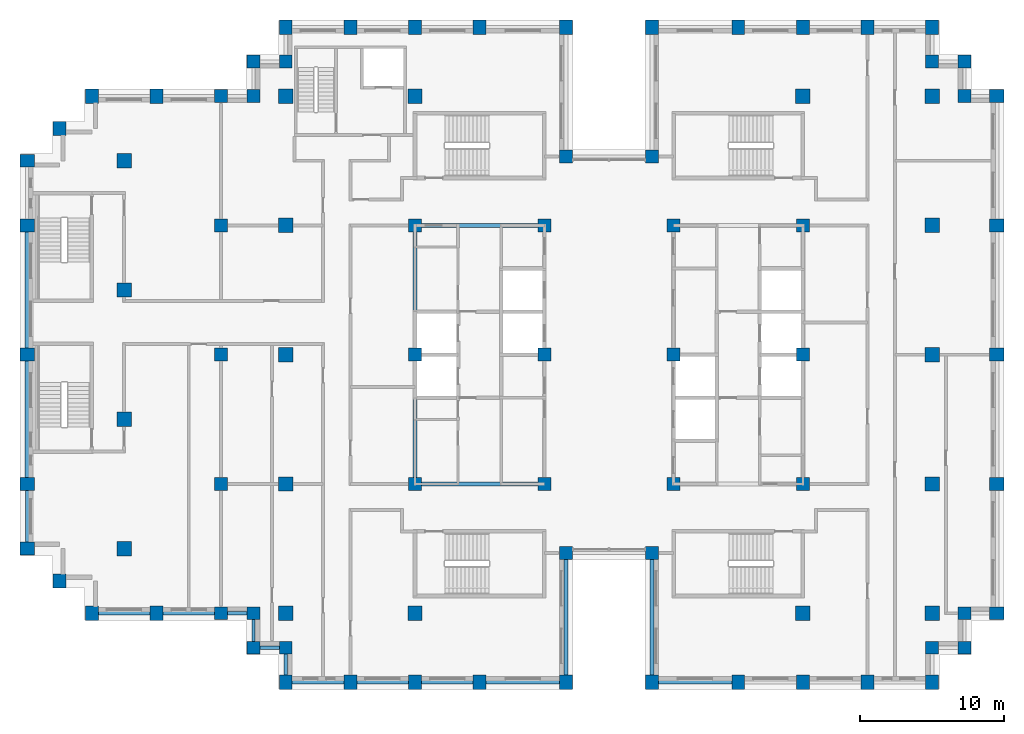
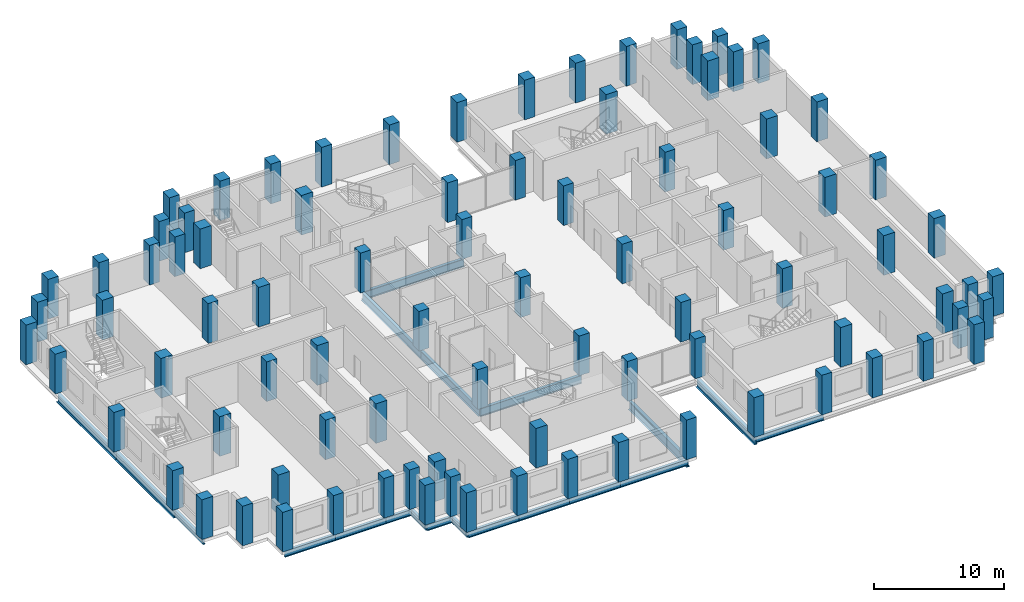
# One storey, part 1 of 15: 87 columns, 20 beams.
"""IFC4 building model written with IfcOpenShell, lengths in metres."""

from ifc_helpers import new_model, si_unit, direction, frame, origin, origin_2d, place, context, subcontext, project, spatial, rectangle, i_section, extrude, material, material_profile, profile_set, type_object, element, save


model = new_model("IFC4")

# Units and contexts
model_context = context("Model", 3, precision=1e-05, world=origin(), true_north=direction((0.0, 1.0)))
body_context = subcontext(model_context, "Body", "Model", "MODEL_VIEW")
ifc_project = project(units=[si_unit("LENGTHUNIT", "METRE"), si_unit("AREAUNIT", "SQUARE_METRE"), si_unit("VOLUMEUNIT", "CUBIC_METRE"), si_unit("PLANEANGLEUNIT", "RADIAN"), si_unit("MASSUNIT", "GRAM", prefix="KILO")], contexts=[model_context])

# Site, building, storey
site_placement = place(None, origin())
site = spatial("IfcSite", under=ifc_project, at=site_placement, CompositionType="ELEMENT")
building_placement = place(site_placement, origin())
building = spatial("IfcBuilding", under=site, at=building_placement, Name="Corbelhall Arena Tower", CompositionType="ELEMENT")
storey_placement = place(building_placement, frame((0.0, 0.0, 224.0)))
storey = spatial("IfcBuildingStorey", under=building, at=storey_placement, Name="L47", CompositionType="ELEMENT", Elevation=224.0)

# Columns
ifc_material_1 = material(Name="Concrete C80/95", Category="concrete")
ifc_material_profile_1 = material_profile(ifc_material_1, rectangle(XDim=1.0, YDim=1.0, at=origin_2d()))
ifc_profile_set_1 = profile_set([ifc_material_profile_1], Name="Concrete C80/95")
column_type_1 = type_object("IfcColumnType", Name="ST-COL-RC 1000x1000", PredefinedType="COLUMN", material=ifc_profile_set_1)
for number, where, z_axis, x_axis, name in (
    (1, (-33.75, 4.5, 0.0), (0.0, 0.0, 1.0), (1.0, 0.0, 0.0), "Column FIC+0450"),
    (2, (-33.75, 13.5, 0.0), (0.0, 0.0, 1.0), (1.0, 0.0, 0.0), "Column FIC+1350"),
    (3, (-33.75, -4.5, 0.0), (0.0, 0.0, 1.0), (1.0, 0.0, 0.0), "Column FIC-0450"),
    (4, (-33.75, -13.5, 0.0), (0.0, 0.0, 1.0), (1.0, 0.0, 0.0), "Column FIC-1350"),
    (5, (13.5, 18.0, 0.0), (0.0, 0.0, 1.0), (1.0, 0.0, 0.0), "Column IE13+1800"),
    (6, (13.5, -18.0, 0.0), (0.0, 0.0, 1.0), (1.0, 0.0, 0.0), "Column IE13-1800"),
    (7, (22.5, 0.0, 0.0), (0.0, 0.0, 1.0), (1.0, 0.0, 0.0), "Column IE22+0000"),
    (8, (22.5, 9.0, 0.0), (0.0, 0.0, 1.0), (1.0, 0.0, 0.0), "Column IE22+0900"),
    (9, (22.5, 18.0, 0.0), (0.0, 0.0, 1.0), (1.0, 0.0, 0.0), "Column IE22+1800"),
    (10, (22.5, -9.0, 0.0), (0.0, 0.0, 1.0), (1.0, 0.0, 0.0), "Column IE22-0900"),
    (11, (22.5, -18.0, 0.0), (0.0, 0.0, 1.0), (1.0, 0.0, 0.0), "Column IE22-1800"),
    (12, (-13.5, 18.0, 0.0), (0.0, 0.0, 1.0), (1.0, 0.0, 0.0), "Column IW13+1800"),
    (13, (-13.5, -18.0, 0.0), (0.0, 0.0, 1.0), (1.0, 0.0, 0.0), "Column IW13-1800"),
    (14, (-22.5, 0.0, 0.0), (0.0, 0.0, 1.0), (1.0, 0.0, 0.0), "Column IW22+0000"),
    (15, (-22.5, 9.0, 0.0), (0.0, 0.0, 1.0), (1.0, 0.0, 0.0), "Column IW22+0900"),
    (16, (-22.5, 18.0, 0.0), (0.0, 0.0, 1.0), (1.0, 0.0, 0.0), "Column IW22+1800"),
    (17, (-22.5, -9.0, 0.0), (0.0, 0.0, 1.0), (1.0, 0.0, 0.0), "Column IW22-0900"),
    (18, (-22.5, -18.0, 0.0), (0.0, 0.0, 1.0), (1.0, 0.0, 0.0), "Column IW22-1800"),
):
    element("IfcColumn", number, at=place(storey_placement, frame(where, z_axis=z_axis, x_axis=x_axis)), inside=storey, type_object=column_type_1, Name=name, PredefinedType="COLUMN", context=body_context, shape_type="SweptSolid", body=[
        extrude(rectangle(XDim=1.0, YDim=1.0, at=origin_2d()), origin(), (0.0, 0.0, 1.0), 3.719970703125),
    ])
ifc_material_profile_2 = material_profile(ifc_material_1, rectangle(XDim=0.89990234375, YDim=1.0, at=origin_2d()))
ifc_profile_set_2 = profile_set([ifc_material_profile_2], Name="Concrete C80/95")
column_type_2 = type_object("IfcColumnType", Name="ST-COL-RC 900x1000", PredefinedType="COLUMN", material=ifc_profile_set_2)
for number, where, z_axis, x_axis, name in (
    (19, (-40.5, 0.0, 0.0), (0.0, 0.0, 1.0), (0.0, 1.0, 0.0), "Column FC+0000"),
    (20, (-40.5, 9.0, 0.0), (0.0, 0.0, 1.0), (0.0, 1.0, 0.0), "Column FC+0900"),
    (21, (-40.5, 13.5, 0.0), (0.0, 0.0, 1.0), (0.0, 1.0, 0.0), "Column FC+1350"),
    (22, (-40.5, -9.0, 0.0), (0.0, 0.0, 1.0), (0.0, 1.0, 0.0), "Column FC-0900"),
    (23, (-40.5, -13.5, 0.0), (0.0, 0.0, 1.0), (0.0, 1.0, 0.0), "Column FC-1350"),
    (24, (-38.25, 15.75, 0.0), (0.0, 0.0, 1.0), (1.0, 0.0, 0.0), "Column FCCN"),
    (25, (-38.25, -15.75, 0.0), (0.0, 0.0, 1.0), (1.0, 0.0, 0.0), "Column FCCS"),
    (26, (-31.5, 18.0, 0.0), (0.0, 0.0, 1.0), (1.0, 0.0, 0.0), "Column FCN3150"),
    (27, (-36.0, 18.0, 0.0), (0.0, 0.0, 1.0), (1.0, 0.0, 0.0), "Column FCN3600"),
    (28, (-31.5, -18.0, 0.0), (0.0, 0.0, 1.0), (1.0, 0.0, 0.0), "Column FCS3150"),
    (29, (-36.0, -18.0, 0.0), (0.0, 0.0, 1.0), (1.0, 0.0, 0.0), "Column FCS3600"),
    (30, (27.0, 0.0, 0.0), (0.0, 0.0, 1.0), (0.0, 1.0, 0.0), "Column PE+0000"),
    (31, (27.0, 9.0, 0.0), (0.0, 0.0, 1.0), (0.0, 1.0, 0.0), "Column PE+0900"),
    (32, (27.0, 18.0, 0.0), (0.0, 0.0, 1.0), (0.0, 1.0, 0.0), "Column PE+1800"),
    (33, (27.0, -9.0, 0.0), (0.0, 0.0, 1.0), (0.0, 1.0, 0.0), "Column PE-0900"),
    (34, (27.0, -18.0, 0.0), (0.0, 0.0, 1.0), (0.0, 1.0, 0.0), "Column PE-1800"),
    (35, (3.0, 22.800048828125, 0.0), (0.0, 0.0, 1.0), (1.0, 0.0, 0.0), "Column PNE0300"),
    (36, (9.0, 22.800048828125, 0.0), (0.0, 0.0, 1.0), (1.0, 0.0, 0.0), "Column PNE0900"),
    (37, (13.5, 22.800048828125, 0.0), (0.0, 0.0, 1.0), (1.0, 0.0, 0.0), "Column PNE1350"),
    (38, (18.0, 22.800048828125, 0.0), (0.0, 0.0, 1.0), (1.0, 0.0, 0.0), "Column PNE1800"),
    (39, (22.5, 22.800048828125, 0.0), (0.0, 0.0, 1.0), (1.0, 0.0, 0.0), "Column PNE2250"),
    (40, (-3.0, 22.800048828125, 0.0), (0.0, 0.0, 1.0), (1.0, 0.0, 0.0), "Column PNW0300"),
    (41, (-9.0, 22.800048828125, 0.0), (0.0, 0.0, 1.0), (1.0, 0.0, 0.0), "Column PNW0900"),
    (42, (-13.5, 22.800048828125, 0.0), (0.0, 0.0, 1.0), (1.0, 0.0, 0.0), "Column PNW1350"),
    (43, (-18.0, 22.800048828125, 0.0), (0.0, 0.0, 1.0), (1.0, 0.0, 0.0), "Column PNW1800"),
    (44, (-22.5, 22.800048828125, 0.0), (0.0, 0.0, 1.0), (1.0, 0.0, 0.0), "Column PNW2250"),
    (45, (3.0, -22.800048828125, 0.0), (0.0, 0.0, 1.0), (1.0, 0.0, 0.0), "Column PSE0300"),
    (46, (9.0, -22.800048828125, 0.0), (0.0, 0.0, 1.0), (1.0, 0.0, 0.0), "Column PSE0900"),
    (47, (13.5, -22.800048828125, 0.0), (0.0, 0.0, 1.0), (1.0, 0.0, 0.0), "Column PSE1350"),
    (48, (18.0, -22.800048828125, 0.0), (0.0, 0.0, 1.0), (1.0, 0.0, 0.0), "Column PSE1800"),
    (49, (22.5, -22.800048828125, 0.0), (0.0, 0.0, 1.0), (1.0, 0.0, 0.0), "Column PSE2250"),
    (50, (-3.0, -22.800048828125, 0.0), (0.0, 0.0, 1.0), (1.0, 0.0, 0.0), "Column PSW0300"),
    (51, (-9.0, -22.800048828125, 0.0), (0.0, 0.0, 1.0), (1.0, 0.0, 0.0), "Column PSW0900"),
    (52, (-13.5, -22.800048828125, 0.0), (0.0, 0.0, 1.0), (1.0, 0.0, 0.0), "Column PSW1350"),
    (53, (-18.0, -22.800048828125, 0.0), (0.0, 0.0, 1.0), (1.0, 0.0, 0.0), "Column PSW1800"),
    (54, (-22.5, -22.800048828125, 0.0), (0.0, 0.0, 1.0), (1.0, 0.0, 0.0), "Column PSW2250"),
):
    element("IfcColumn", number, at=place(storey_placement, frame(where, z_axis=z_axis, x_axis=x_axis)), inside=storey, type_object=column_type_2, Name=name, PredefinedType="COLUMN", context=body_context, shape_type="SweptSolid", body=[
        extrude(rectangle(XDim=0.89990234375, YDim=1.0, at=origin_2d()), origin(), (0.0, 0.0, 1.0), 3.719970703125),
    ])
ifc_material_profile_3 = material_profile(ifc_material_1, rectangle(XDim=0.89990234375, YDim=0.89990234375, at=origin_2d()))
ifc_profile_set_3 = profile_set([ifc_material_profile_3], Name="Concrete C80/95")
column_type_3 = type_object("IfcColumnType", Name="ST-COL-RC 900x900", PredefinedType="COLUMN", material=ifc_profile_set_3)
for number, where, z_axis, x_axis, name in (
    (55, (4.5, 0.0, 0.0), (0.0, 0.0, 1.0), (1.0, 0.0, 0.0), "Column KE+0450+0000"),
    (56, (4.5, 9.0, 0.0), (0.0, 0.0, 1.0), (1.0, 0.0, 0.0), "Column KE+0450+0900"),
    (57, (4.5, -9.0, 0.0), (0.0, 0.0, 1.0), (1.0, 0.0, 0.0), "Column KE+0450-0900"),
    (58, (13.5, 0.0, 0.0), (0.0, 0.0, 1.0), (1.0, 0.0, 0.0), "Column KE+1350+0000"),
    (59, (13.5, 9.0, 0.0), (0.0, 0.0, 1.0), (1.0, 0.0, 0.0), "Column KE+1350+0900"),
    (60, (13.5, -9.0, 0.0), (0.0, 0.0, 1.0), (1.0, 0.0, 0.0), "Column KE+1350-0900"),
    (61, (-4.5, 0.0, 0.0), (0.0, 0.0, 1.0), (1.0, 0.0, 0.0), "Column KW-0450+0000"),
    (62, (-4.5, 9.0, 0.0), (0.0, 0.0, 1.0), (1.0, 0.0, 0.0), "Column KW-0450+0900"),
    (63, (-4.5, -9.0, 0.0), (0.0, 0.0, 1.0), (1.0, 0.0, 0.0), "Column KW-0450-0900"),
    (64, (-13.5, 0.0, 0.0), (0.0, 0.0, 1.0), (1.0, 0.0, 0.0), "Column KW-1350+0000"),
    (65, (-13.5, 9.0, 0.0), (0.0, 0.0, 1.0), (1.0, 0.0, 0.0), "Column KW-1350+0900"),
    (66, (-13.5, -9.0, 0.0), (0.0, 0.0, 1.0), (1.0, 0.0, 0.0), "Column KW-1350-0900"),
    (67, (-27.0, 0.0, 0.0), (0.0, 0.0, 1.0), (1.0, 0.0, 0.0), "Column PW+0000"),
    (68, (-27.0, 9.0, 0.0), (0.0, 0.0, 1.0), (1.0, 0.0, 0.0), "Column PW+0900"),
    (69, (-27.0, 18.0, 0.0), (0.0, 0.0, 1.0), (1.0, 0.0, 0.0), "Column PW+1800"),
    (70, (-27.0, -9.0, 0.0), (0.0, 0.0, 1.0), (1.0, 0.0, 0.0), "Column PW-0900"),
    (71, (-27.0, -18.0, 0.0), (0.0, 0.0, 1.0), (1.0, 0.0, 0.0), "Column PW-1800"),
    (72, (3.0, 13.800048828125, 0.0), (0.0, 0.0, 1.0), (1.0, 0.0, 0.0), "Column SLNE2"),
    (73, (-3.0, 13.800048828125, 0.0), (0.0, 0.0, 1.0), (1.0, 0.0, 0.0), "Column SLNW2"),
    (74, (3.0, -13.800048828125, 0.0), (0.0, 0.0, 1.0), (1.0, 0.0, 0.0), "Column SLSE2"),
    (75, (-3.0, -13.800048828125, 0.0), (0.0, 0.0, 1.0), (1.0, 0.0, 0.0), "Column SLSW2"),
    (76, (22.5, 20.39990234375, 0.0), (0.0, 0.0, 1.0), (1.0, 0.0, 0.0), "Column XNE1"),
    (77, (24.75, 20.39990234375, 0.0), (0.0, 0.0, 1.0), (1.0, 0.0, 0.0), "Column XNE2"),
    (78, (24.75, 18.0, 0.0), (0.0, 0.0, 1.0), (1.0, 0.0, 0.0), "Column XNE3"),
    (79, (-22.5, 20.39990234375, 0.0), (0.0, 0.0, 1.0), (1.0, 0.0, 0.0), "Column XNW1"),
    (80, (-24.75, 20.39990234375, 0.0), (0.0, 0.0, 1.0), (1.0, 0.0, 0.0), "Column XNW2"),
    (81, (-24.75, 18.0, 0.0), (0.0, 0.0, 1.0), (1.0, 0.0, 0.0), "Column XNW3"),
    (82, (22.5, -20.39990234375, 0.0), (0.0, 0.0, 1.0), (1.0, 0.0, 0.0), "Column XSE1"),
    (83, (24.75, -20.39990234375, 0.0), (0.0, 0.0, 1.0), (1.0, 0.0, 0.0), "Column XSE2"),
    (84, (24.75, -18.0, 0.0), (0.0, 0.0, 1.0), (1.0, 0.0, 0.0), "Column XSE3"),
    (85, (-22.5, -20.39990234375, 0.0), (0.0, 0.0, 1.0), (1.0, 0.0, 0.0), "Column XSW1"),
    (86, (-24.75, -20.39990234375, 0.0), (0.0, 0.0, 1.0), (1.0, 0.0, 0.0), "Column XSW2"),
    (87, (-24.75, -18.0, 0.0), (0.0, 0.0, 1.0), (1.0, 0.0, 0.0), "Column XSW3"),
):
    element("IfcColumn", number, at=place(storey_placement, frame(where, z_axis=z_axis, x_axis=x_axis)), inside=storey, type_object=column_type_3, Name=name, PredefinedType="COLUMN", context=body_context, shape_type="SweptSolid", body=[
        extrude(rectangle(XDim=0.89990234375, YDim=0.89990234375, at=origin_2d()), origin(), (0.0, 0.0, 1.0), 3.719970703125),
    ])

# Beams
ifc_material_2 = material(Name="Steel ASTM A992 Gr50", Category="steel")
ifc_material_profile_4 = material_profile(ifc_material_2, i_section(OverallWidth=0.2666015625, OverallDepth=0.761962890625, WebThickness=0.014404296875, FlangeThickness=0.021484375, at=origin_2d()))
ifc_profile_set_4 = profile_set([ifc_material_profile_4], Name="Steel ASTM A992 Gr50")
beam_type_1 = type_object("IfcBeamType", Name="ST-BEAM-W30x116", PredefinedType="BEAM", material=ifc_profile_set_4)
for number, where, z_axis, x_axis, name in (
    (88, (-13.5, -9.0, -0.660888671875), (0.0, 1.0, 0.0), (-1.0, 0.0, 0.0), "Beam CEW 1"),
    (89, (-13.5, 0.0, -0.660888671875), (0.0, 1.0, 0.0), (-1.0, 0.0, 0.0), "Beam CEW 2"),
    (90, (-13.5, -9.0, -0.660888671875), (1.0, 0.0, 0.0), (0.0, 1.0, 0.0), "Beam CEW 5"),
    (91, (-13.5, 9.0, -0.660888671875), (1.0, 0.0, 0.0), (0.0, 1.0, 0.0), "Beam CEW 6"),
):
    element("IfcBeam", number, at=place(storey_placement, frame(where, z_axis=z_axis, x_axis=x_axis)), inside=storey, type_object=beam_type_1, Name=name, PredefinedType="BEAM", context=body_context, shape_type="SweptSolid", body=[
        extrude(i_section(OverallWidth=0.2666015625, OverallDepth=0.761962890625, WebThickness=0.014404296875, FlangeThickness=0.021484375, at=origin_2d()), origin(), (0.0, 0.0, 1.0), 9.0),
    ])
ifc_material_profile_5 = material_profile(ifc_material_2, i_section(OverallWidth=0.228271484375, OverallDepth=0.607177734375, WebThickness=0.01123046875, FlangeThickness=0.017333984375, at=origin_2d()))
ifc_profile_set_5 = profile_set([ifc_material_profile_5], Name="Steel ASTM A992 Gr50")
beam_type_2 = type_object("IfcBeamType", Name="ST-SPANDREL-W24x76", PredefinedType="SPANDREL", material=ifc_profile_set_5)
for number, where, z_axis, x_axis, name in (
    (92, (-40.5, -13.5, -0.58349609375), (0.0, 1.0, 0.0), (-1.0, 0.0, 0.0), "Beam SP 4"),
    (93, (-31.5, -18.0, -0.58349609375), (-1.0, 0.0, 0.0), (0.0, -1.0, 0.0), "Beam SP 7"),
):
    element("IfcBeam", number, at=place(storey_placement, frame(where, z_axis=z_axis, x_axis=x_axis)), inside=storey, type_object=beam_type_2, Name=name, PredefinedType="SPANDREL", context=body_context, shape_type="SweptSolid", body=[
        extrude(i_section(OverallWidth=0.228271484375, OverallDepth=0.607177734375, WebThickness=0.01123046875, FlangeThickness=0.017333984375, at=origin_2d()), origin(), (0.0, 0.0, 1.0), 4.5),
    ])
for number, where, z_axis, x_axis, name in (
    (94, (9.0, -22.800048828125, -0.58349609375), (-1.0, 0.0, 0.0), (0.0, -1.0, 0.0), "Beam SP 24"),
    (95, (-3.0, -22.800048828125, -0.58349609375), (-1.0, 0.0, 0.0), (0.0, -1.0, 0.0), "Beam SP 28"),
):
    element("IfcBeam", number, at=place(storey_placement, frame(where, z_axis=z_axis, x_axis=x_axis)), inside=storey, type_object=beam_type_2, Name=name, PredefinedType="SPANDREL", context=body_context, shape_type="SweptSolid", body=[
        extrude(i_section(OverallWidth=0.228271484375, OverallDepth=0.607177734375, WebThickness=0.01123046875, FlangeThickness=0.017333984375, at=origin_2d()), origin(), (0.0, 0.0, 1.0), 6.0),
    ])
for number, where, z_axis, x_axis, name in (
    (96, (-9.0, -22.800048828125, -0.58349609375), (-1.0, 0.0, 0.0), (0.0, -1.0, 0.0), "Beam SP 29"),
    (97, (-13.5, -22.800048828125, -0.58349609375), (-1.0, 0.0, 0.0), (0.0, -1.0, 0.0), "Beam SP 30"),
    (98, (-18.0, -22.800048828125, -0.58349609375), (-1.0, 0.0, 0.0), (0.0, -1.0, 0.0), "Beam SP 31"),
):
    element("IfcBeam", number, at=place(storey_placement, frame(where, z_axis=z_axis, x_axis=x_axis)), inside=storey, type_object=beam_type_2, Name=name, PredefinedType="SPANDREL", context=body_context, shape_type="SweptSolid", body=[
        extrude(i_section(OverallWidth=0.228271484375, OverallDepth=0.607177734375, WebThickness=0.01123046875, FlangeThickness=0.017333984375, at=origin_2d()), origin(), (0.0, 0.0, 1.0), 4.5),
    ])
beam_1_placement = place(storey_placement, frame((-22.5, -22.800048828125, -0.58349609375), z_axis=(0.0, 1.0, 0.0), x_axis=(-1.0, 0.0, 0.0)))
element("IfcBeam", 99, at=beam_1_placement, inside=storey, type_object=beam_type_2, Name="Beam SP 32", PredefinedType="SPANDREL", context=body_context, shape_type="SweptSolid", body=[
    extrude(i_section(OverallWidth=0.228271484375, OverallDepth=0.607177734375, WebThickness=0.01123046875, FlangeThickness=0.017333984375, at=origin_2d()), origin(), (0.0, 0.0, 1.0), 2.400146484375),
])
beam_2_placement = place(storey_placement, frame((-27.0, -18.0, -0.58349609375), z_axis=(-1.0, 0.0, 0.0), x_axis=(0.0, -1.0, 0.0)))
element("IfcBeam", 100, at=beam_2_placement, inside=storey, type_object=beam_type_2, Name="Beam SP 34", PredefinedType="SPANDREL", context=body_context, shape_type="SweptSolid", body=[
    extrude(i_section(OverallWidth=0.228271484375, OverallDepth=0.607177734375, WebThickness=0.01123046875, FlangeThickness=0.017333984375, at=origin_2d()), origin(), (0.0, 0.0, 1.0), 4.5),
])
beam_3_placement = place(storey_placement, frame((-22.5, -20.39990234375, -0.58349609375), z_axis=(-1.0, 0.0, 0.0), x_axis=(0.0, -1.0, 0.0)))
element("IfcBeam", 101, at=beam_3_placement, inside=storey, type_object=beam_type_2, Name="Beam SP 48", PredefinedType="SPANDREL", context=body_context, shape_type="SweptSolid", body=[
    extrude(i_section(OverallWidth=0.228271484375, OverallDepth=0.607177734375, WebThickness=0.01123046875, FlangeThickness=0.017333984375, at=origin_2d()), origin(), (0.0, 0.0, 1.0), 2.25),
])
beam_4_placement = place(storey_placement, frame((-24.75, -20.39990234375, -0.58349609375), z_axis=(0.0, 1.0, 0.0), x_axis=(-1.0, 0.0, 0.0)))
element("IfcBeam", 102, at=beam_4_placement, inside=storey, type_object=beam_type_2, Name="Beam SP 49", PredefinedType="SPANDREL", context=body_context, shape_type="SweptSolid", body=[
    extrude(i_section(OverallWidth=0.228271484375, OverallDepth=0.607177734375, WebThickness=0.01123046875, FlangeThickness=0.017333984375, at=origin_2d()), origin(), (0.0, 0.0, 1.0), 2.39990234375),
])
beam_5_placement = place(storey_placement, frame((-24.75, -18.0, -0.58349609375), z_axis=(-1.0, 0.0, 0.0), x_axis=(0.0, -1.0, 0.0)))
element("IfcBeam", 103, at=beam_5_placement, inside=storey, type_object=beam_type_2, Name="Beam SP 50", PredefinedType="SPANDREL", context=body_context, shape_type="SweptSolid", body=[
    extrude(i_section(OverallWidth=0.228271484375, OverallDepth=0.607177734375, WebThickness=0.01123046875, FlangeThickness=0.017333984375, at=origin_2d()), origin(), (0.0, 0.0, 1.0), 2.25),
])
ifc_material_profile_6 = material_profile(ifc_material_2, i_section(OverallWidth=0.2919921875, OverallDepth=0.845703125, WebThickness=0.015380859375, FlangeThickness=0.0244140625, at=origin_2d()))
ifc_profile_set_6 = profile_set([ifc_material_profile_6], Name="Steel ASTM A992 Gr50")
beam_type_3 = type_object("IfcBeamType", Name="ST-SPANDREL-W33x141", PredefinedType="SPANDREL", material=ifc_profile_set_6)
for number, where, z_axis, x_axis, name in (
    (104, (-40.5, 0.0, -0.702880859375), (0.0, 1.0, 0.0), (-1.0, 0.0, 0.0), "Beam SP 1"),
    (105, (-40.5, -9.0, -0.702880859375), (0.0, 1.0, 0.0), (-1.0, 0.0, 0.0), "Beam SP 3"),
    (106, (3.0, -22.800048828125, -0.702880859375), (0.0, 1.0, 0.0), (-1.0, 0.0, 0.0), "Beam SP 23"),
    (107, (-3.0, -13.800048828125, -0.702880859375), (0.0, -1.0, 0.0), (1.0, 0.0, 0.0), "Beam SP 38"),
):
    element("IfcBeam", number, at=place(storey_placement, frame(where, z_axis=z_axis, x_axis=x_axis)), inside=storey, type_object=beam_type_3, Name=name, PredefinedType="SPANDREL", context=body_context, shape_type="SweptSolid", body=[
        extrude(i_section(OverallWidth=0.2919921875, OverallDepth=0.845703125, WebThickness=0.015380859375, FlangeThickness=0.0244140625, at=origin_2d()), origin(), (0.0, 0.0, 1.0), 9.0),
    ])

save(model, "model.ifc")
